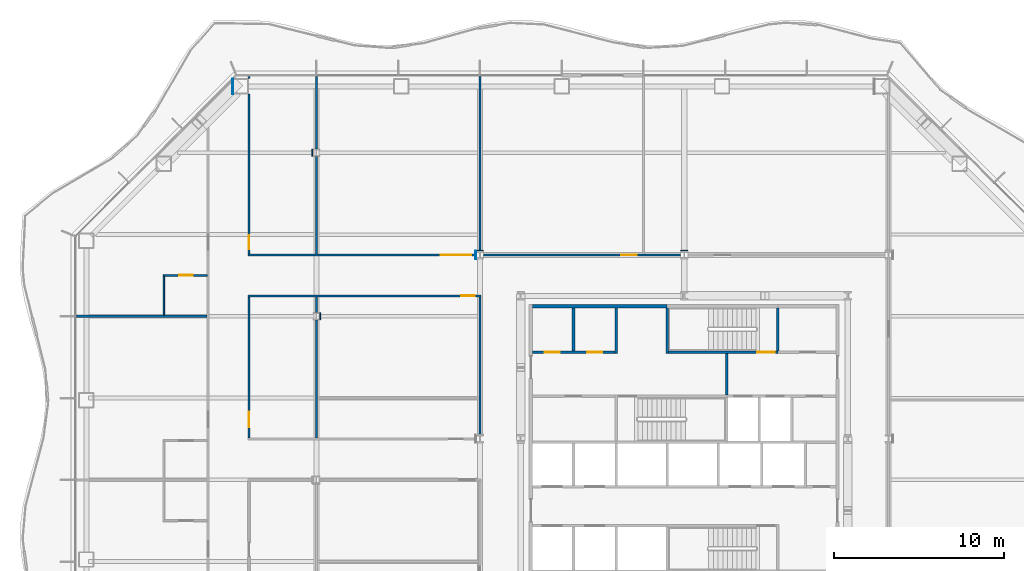
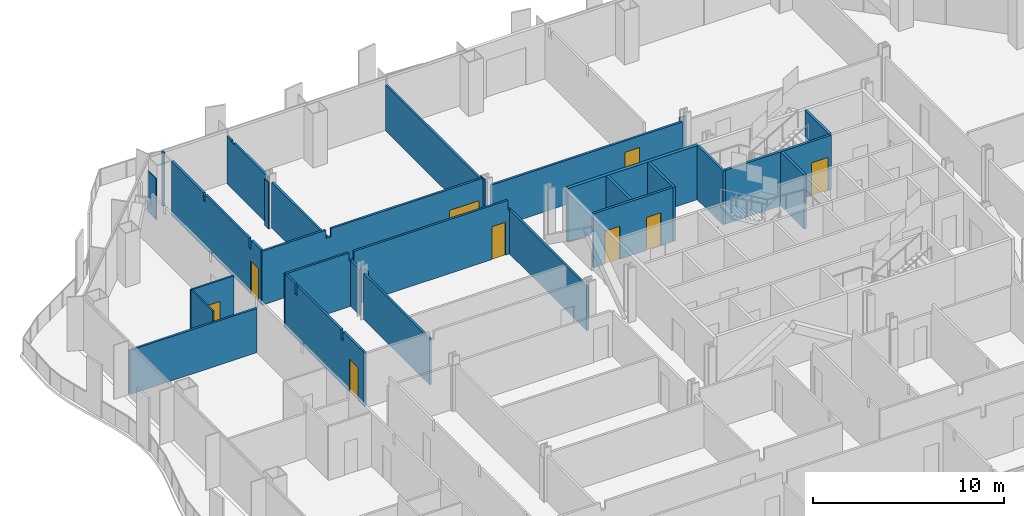
# One storey, part 10 of 18: 29 walls, 9 doors, 9 openings.
"""IFC4 building model written with IfcOpenShell, lengths in metres."""

from ifc_helpers import new_model, si_unit, direction, frame, frame_2d, origin, place, context, subcontext, project, spatial, polyline, rectangle, outline, extrude, material, layer, layer_set, type_object, element, fill, save


model = new_model("IFC4")

# Units and contexts
model_context = context("Model", 3, precision=1e-05, world=origin(), true_north=direction((0.0, 1.0)))
body_context = subcontext(model_context, "Body", "Model", "MODEL_VIEW")
ifc_project = project(units=[si_unit("LENGTHUNIT", "METRE"), si_unit("AREAUNIT", "SQUARE_METRE"), si_unit("VOLUMEUNIT", "CUBIC_METRE"), si_unit("PLANEANGLEUNIT", "RADIAN"), si_unit("MASSUNIT", "GRAM", prefix="KILO")], contexts=[model_context])

# Site, building, storey
site_placement = place(None, origin())
site = spatial("IfcSite", under=ifc_project, at=site_placement, CompositionType="ELEMENT")
building_placement = place(site_placement, origin())
building = spatial("IfcBuilding", under=site, at=building_placement, Name="Cairn Pilgrim Tower", CompositionType="ELEMENT")
storey_placement = place(building_placement, frame((0.0, 0.0, 72.60009765625)))
storey = spatial("IfcBuildingStorey", under=building, at=storey_placement, Name="L16", CompositionType="ELEMENT", Elevation=72.60009765625)

# Wall
ifc_material_1 = material(Name="Concrete C32/40", Category="concrete")
ifc_layer_1 = layer(ifc_material_1, 0.199951171875)
ifc_layer_set_1 = layer_set([ifc_layer_1], Name="CORE OUTER WALL 200 EI 120")
wall_type_1 = type_object("IfcWallType", Name="CORE OUTER WALL 200 EI 120", PredefinedType="SOLIDWALL", material=ifc_layer_set_1)
wall_1_placement = place(storey_placement, frame((-1.699951171875, 10.199951171875, 0.0), z_axis=(0.0, 0.0, 1.0), x_axis=(1.0, 0.0, 0.0)))
element("IfcWall", 1, at=wall_1_placement, inside=storey, type_object=wall_type_1, Name="CW:L16:H11-1", PredefinedType="SOLIDWALL", context=body_context, shape_type="SweptSolid", body=[
    extrude(rectangle(XDim=7.89990234375, YDim=0.199951171875, at=frame_2d((3.949951171875, 0.0))), origin(), (0.0, 0.0, 1.0), 3.449951171875),
])

# Wall, openings, doors
ifc_layer_2 = layer(ifc_material_1, 0.14990234375)
ifc_layer_set_2 = layer_set([ifc_layer_2], Name="CORE PARTITION 150 EI 60")
wall_type_2 = type_object("IfcWallType", Name="CORE PARTITION 150 EI 60", PredefinedType="PARTITIONING", material=ifc_layer_set_2)
wall_2_placement = place(storey_placement, frame((-1.699951171875, 7.5, 0.0), z_axis=(0.0, 0.0, 1.0), x_axis=(1.0, 0.0, 0.0)))
wall_2 = element("IfcWall", 2, at=wall_2_placement, inside=storey, type_object=wall_type_2, Name="CW:L16:H09", PredefinedType="PARTITIONING", context=body_context, shape_type="SweptSolid", body=[
    extrude(rectangle(XDim=4.824951171875, YDim=0.14990234375, at=frame_2d((2.41259765625, 0.0))), origin(), (0.0, 0.0, 1.0), 3.449951171875),
])
opening_1_placement = place(wall_2_placement, frame((0.699951171875, 0.0, 0.0)))
opening_1 = element("IfcOpeningElement", 3, at=opening_1_placement, cuts=wall_2, Name="Opening RD-R4W1", PredefinedType="OPENING", context=body_context, shape_type="SweptSolid", body=[
    extrude(rectangle(XDim=0.89990234375, YDim=2.10009765625, at=frame_2d((0.449951171875, 1.050048828125))), frame((0.0, 0.0849609375, 0.0), z_axis=(0.0, -1.0, 0.0), x_axis=(1.0, 0.0, 0.0)), (0.0, 0.0, 1.0), 0.169921875),
])
opening_2_placement = place(wall_2_placement, frame((3.199951171875, 0.0, 0.0)))
opening_2 = element("IfcOpeningElement", 4, at=opening_2_placement, cuts=wall_2, Name="Opening RD-R4W2", PredefinedType="OPENING", context=body_context, shape_type="SweptSolid", body=[
    extrude(rectangle(XDim=0.89990234375, YDim=2.10009765625, at=frame_2d((0.449951171875, 1.050048828125))), frame((0.0, 0.0849609375, 0.0), z_axis=(0.0, -1.0, 0.0), x_axis=(1.0, 0.0, 0.0)), (0.0, 0.0, 1.0), 0.169921875),
])
ifc_material_2 = material(Name="Painted steel", Category="steel")
door_type_1 = type_object("IfcDoorType", Name="SERVICE ROOM DOOR 900x2100", OperationType="SINGLE_SWING_LEFT", PredefinedType="DOOR", material=ifc_material_2)
door_1_placement = place(opening_1_placement, origin())
door_1 = element("IfcDoor", 5, at=door_1_placement, inside=storey, type_object=door_type_1, Name="RD-R4W1", OperationType="SINGLE_SWING_RIGHT", OverallHeight=2.10009765625, OverallWidth=0.89990234375, PredefinedType="DOOR", context=body_context, shape_type="SweptSolid", body=[
    extrude(rectangle(XDim=0.89990234375, YDim=2.10009765625, at=frame_2d((0.449951171875, 1.050048828125))), frame((0.0, 0.02490234375, 0.0), z_axis=(0.0, -1.0, 0.0), x_axis=(1.0, 0.0, 0.0)), (0.0, 0.0, 1.0), 0.050048828125),
])
fill(opening_1, door_1)
door_2_placement = place(opening_2_placement, origin())
door_2 = element("IfcDoor", 6, at=door_2_placement, inside=storey, type_object=door_type_1, Name="RD-R4W2", OperationType="SINGLE_SWING_LEFT", OverallHeight=2.10009765625, OverallWidth=0.89990234375, PredefinedType="DOOR", context=body_context, shape_type="SweptSolid", body=[
    extrude(rectangle(XDim=0.89990234375, YDim=2.10009765625, at=frame_2d((0.449951171875, 1.050048828125))), frame((0.0, 0.02490234375, 0.0), z_axis=(0.0, -1.0, 0.0), x_axis=(1.0, 0.0, 0.0)), (0.0, 0.0, 1.0), 0.050048828125),
])
fill(opening_2, door_2)

# Walls
wall_3_placement = place(storey_placement, frame((0.699951171875, 7.574951171875, 0.0), z_axis=(0.0, 0.0, 1.0), x_axis=(0.0, 1.0, 0.0)))
element("IfcWall", 7, at=wall_3_placement, inside=storey, type_object=wall_type_2, Name="CW:L16:V15", PredefinedType="PARTITIONING", context=body_context, shape_type="SweptSolid", body=[
    extrude(rectangle(XDim=2.525146484375, YDim=0.14990234375, at=frame_2d((1.2626953125, 0.0))), origin(), (0.0, 0.0, 1.0), 3.449951171875),
])
wall_4_placement = place(storey_placement, frame((3.199951171875, 7.425048828125, 0.0), z_axis=(0.0, 0.0, 1.0), x_axis=(0.0, 1.0, 0.0)))
element("IfcWall", 8, at=wall_4_placement, inside=storey, type_object=wall_type_2, Name="CW:L16:V19", PredefinedType="PARTITIONING", context=body_context, shape_type="SweptSolid", body=[
    extrude(rectangle(XDim=2.675048828125, YDim=0.14990234375, at=frame_2d((1.33740234375, 0.0))), origin(), (0.0, 0.0, 1.0), 3.449951171875),
])
ifc_layer_3 = layer(ifc_material_1, 0.14990234375)
ifc_layer_set_3 = layer_set([ifc_layer_3], Name="CORE SHAFT WALL 150 EI 120")
wall_type_3 = type_object("IfcWallType", Name="CORE SHAFT WALL 150 EI 120", PredefinedType="SOLIDWALL", material=ifc_layer_set_3)
wall_5_placement = place(storey_placement, frame((9.699951171875, 4.97509765625, 0.0), z_axis=(0.0, 0.0, 1.0), x_axis=(0.0, 1.0, 0.0)))
element("IfcWall", 9, at=wall_5_placement, inside=storey, type_object=wall_type_3, Name="CW:L16:V25", PredefinedType="SOLIDWALL", context=body_context, shape_type="SweptSolid", body=[
    extrude(rectangle(XDim=2.449951171875, YDim=0.14990234375, at=frame_2d((1.22509765625, 0.0))), origin(), (0.0, 0.0, 1.0), 3.449951171875),
])
ifc_material_3 = material(Name="Gypsum partition")
ifc_layer_4 = layer(ifc_material_3, 0.10009765625)
ifc_layer_set_4 = layer_set([ifc_layer_4], Name="PARTITION 100 DRYWALL")
wall_type_4 = type_object("IfcWallType", Name="PARTITION 100 DRYWALL", PredefinedType="PARTITIONING", material=ifc_layer_set_4)
wall_6_placement = place(storey_placement, frame((-23.35009765625, 9.66259765625, 0.0), z_axis=(0.0, 0.0, 1.0), x_axis=(0.0, 1.0, 0.0)))
element("IfcWall", 10, at=wall_6_placement, inside=storey, type_object=wall_type_4, Name="PARTITION W050", PredefinedType="PARTITIONING", context=body_context, shape_type="SweptSolid", body=[
    extrude(outline(polyline([(0.0, 0.0), (2.287353515625, 0.0), (2.28759765625, 3.449951171875), (0.047607421875, 3.449951171875), (0.04541015625, 2.829833984375), (0.0, 2.829833984375), (0.0, 0.0)])), frame((0.0, 0.050048828125, 0.0), z_axis=(0.0, -1.0, 0.0), x_axis=(1.0, 0.0, 0.0)), (0.0, 0.0, 1.0), 0.10009765625),
])

# Wall, opening, door
wall_7_placement = place(storey_placement, frame((-23.39990234375, 12.0, 0.0), z_axis=(0.0, 0.0, 1.0), x_axis=(1.0, 0.0, 0.0)))
wall_7 = element("IfcWall", 11, at=wall_7_placement, inside=storey, type_object=wall_type_4, Name="PARTITION W053", PredefinedType="PARTITIONING", context=body_context, shape_type="SweptSolid", body=[
    extrude(rectangle(XDim=2.58740234375, YDim=0.10009765625, at=frame_2d((1.293701171875, 0.0))), origin(), (0.0, 0.0, 1.0), 3.449951171875),
])
opening_3_placement = place(wall_7_placement, frame((0.949951171875, 0.0, 0.0)))
opening_3 = element("IfcOpeningElement", 12, at=opening_3_placement, cuts=wall_7, Name="Opening 1609E", PredefinedType="OPENING", context=body_context, shape_type="SweptSolid", body=[
    extrude(rectangle(XDim=0.800048828125, YDim=2.10009765625, at=frame_2d((0.39990234375, 1.050048828125))), frame((0.0, 0.06005859375, 0.0), z_axis=(0.0, -1.0, 0.0), x_axis=(1.0, 0.0, 0.0)), (0.0, 0.0, 1.0), 0.1201171875),
])
ifc_material_4 = material(Name="Timber door leaf", Category="wood")
door_type_2 = type_object("IfcDoorType", Name="DOOR 800x2100", OperationType="NOTDEFINED", PredefinedType="DOOR", material=ifc_material_4)
door_3_placement = place(opening_3_placement, frame((0.800048828125, 0.0, 0.0), z_axis=(0.0, 0.0, 1.0), x_axis=(-1.0, 0.0, 0.0)))
door_3 = element("IfcDoor", 13, at=door_3_placement, inside=storey, type_object=door_type_2, Name="DOOR 1609E", OperationType="SINGLE_SWING_RIGHT", OverallHeight=2.10009765625, OverallWidth=0.800048828125, PredefinedType="DOOR", context=body_context, shape_type="SweptSolid", body=[
    extrude(rectangle(XDim=0.800048828125, YDim=2.10009765625, at=frame_2d((0.39990234375, 1.050048828125))), frame((0.0, 0.02490234375, 0.0), z_axis=(0.0, -1.0, 0.0), x_axis=(1.0, 0.0, 0.0)), (0.0, 0.0, 1.0), 0.050048828125),
])
fill(opening_3, door_3)

ifc_layer_5 = layer(ifc_material_3, 0.125)
ifc_layer_set_5 = layer_set([ifc_layer_5], Name="PARTITION 125 DRYWALL EI 60")
wall_type_5 = type_object("IfcWallType", Name="PARTITION 125 DRYWALL EI 60", PredefinedType="PARTITIONING", material=ifc_layer_set_5)
wall_8_placement = place(storey_placement, frame((-18.35009765625, 2.46240234375, 0.0), z_axis=(0.0, 0.0, 1.0), x_axis=(0.0, 1.0, 0.0)))
wall_8 = element("IfcWall", 14, at=wall_8_placement, inside=storey, type_object=wall_type_5, Name="PARTITION W043", PredefinedType="PARTITIONING", context=body_context, shape_type="SweptSolid", body=[
    extrude(outline(polyline([(0.0, 0.0), (8.275146484375, 0.0), (8.27490234375, 3.449951171875), (7.24755859375, 3.449951171875), (7.24560546875, 2.829833984375), (7.027587890625, 2.829833984375), (7.025390625, 3.449951171875), (2.447509765625, 3.449951171875), (2.445556640625, 2.829833984375), (2.2275390625, 2.829833984375), (2.2255859375, 3.449951171875), (0.0, 3.449951171875), (0.0, 0.0)])), frame((0.0, 0.0625, 0.0), z_axis=(0.0, -1.0, 0.0), x_axis=(1.0, 0.0, 0.0)), (0.0, 0.0, 1.0), 0.125),
])
opening_4_placement = place(wall_8_placement, frame((0.637451171875, 0.0, 0.0)))
opening_4 = element("IfcOpeningElement", 15, at=opening_4_placement, cuts=wall_8, Name="Opening 1623", PredefinedType="OPENING", context=body_context, shape_type="SweptSolid", body=[
    extrude(rectangle(XDim=0.89990234375, YDim=2.10009765625, at=frame_2d((0.449951171875, 1.050048828125))), frame((0.0, 0.072509765625, 0.0), z_axis=(0.0, -1.0, 0.0), x_axis=(1.0, 0.0, 0.0)), (0.0, 0.0, 1.0), 0.14501953125),
])
ifc_material_5 = material(Name="Steel-faced fire door leaf", Category="steel")
door_type_3 = type_object("IfcDoorType", Name="FIRE DOOR 900x2100 FD30S", OperationType="NOTDEFINED", PredefinedType="DOOR", material=ifc_material_5)
door_4_placement = place(opening_4_placement, frame((0.89990234375, 0.0, 0.0), z_axis=(0.0, 0.0, 1.0), x_axis=(-1.0, 0.0, 0.0)))
door_4 = element("IfcDoor", 16, at=door_4_placement, inside=storey, type_object=door_type_3, Name="DOOR 1623", OperationType="SINGLE_SWING_RIGHT", OverallHeight=2.10009765625, OverallWidth=0.89990234375, PredefinedType="DOOR", context=body_context, shape_type="SweptSolid", body=[
    extrude(rectangle(XDim=0.89990234375, YDim=2.10009765625, at=frame_2d((0.449951171875, 1.050048828125))), frame((0.0, 0.02490234375, 0.0), z_axis=(0.0, -1.0, 0.0), x_axis=(1.0, 0.0, 0.0)), (0.0, 0.0, 1.0), 0.050048828125),
])
fill(opening_4, door_4)

# Walls
wall_9_placement = place(storey_placement, frame((-14.39990234375, 2.46240234375, 0.0), z_axis=(0.0, 0.0, 1.0), x_axis=(0.0, 1.0, 0.0)))
element("IfcWall", 17, at=wall_9_placement, inside=storey, type_object=wall_type_5, Name="PARTITION W044", PredefinedType="PARTITIONING", context=body_context, shape_type="SweptSolid", body=[
    extrude(rectangle(XDim=6.925048828125, YDim=0.125, at=frame_2d((3.46240234375, 0.0))), origin(), (0.0, 0.0, 1.0), 2.929931640625),
])
wall_10_placement = place(storey_placement, frame((-4.800048828125, 2.636962890625, 0.0), z_axis=(0.0, 0.0, 1.0), x_axis=(0.0, 1.0, 0.0)))
element("IfcWall", 18, at=wall_10_placement, inside=storey, type_object=wall_type_5, Name="PARTITION W045", PredefinedType="PARTITIONING", context=body_context, shape_type="SweptSolid", body=[
    extrude(rectangle(XDim=8.1005859375, YDim=0.125, at=frame_2d((4.05029296875, 0.0))), origin(), (0.0, 0.0, 1.0), 2.829833984375),
])
wall_11_placement = place(storey_placement, frame((-28.489990234375, 9.60009765625, 0.0), z_axis=(0.0, 0.0, 1.0), x_axis=(1.0, 0.0, 0.0)))
element("IfcWall", 19, at=wall_11_placement, inside=storey, type_object=wall_type_5, Name="PARTITION W049", PredefinedType="PARTITIONING", context=body_context, shape_type="SweptSolid", body=[
    extrude(rectangle(XDim=7.677490234375, YDim=0.125, at=frame_2d((3.8388671875, 0.0))), origin(), (0.0, 0.0, 1.0), 2.829833984375),
])
wall_12_placement = place(storey_placement, frame((-14.39990234375, 9.8125, 0.0), z_axis=(0.0, 0.0, 1.0), x_axis=(0.0, 1.0, 0.0)))
element("IfcWall", 20, at=wall_12_placement, inside=storey, type_object=wall_type_5, Name="PARTITION W051", PredefinedType="PARTITIONING", context=body_context, shape_type="SweptSolid", body=[
    extrude(rectangle(XDim=0.925048828125, YDim=0.125, at=frame_2d((0.46240234375, 0.0))), origin(), (0.0, 0.0, 1.0), 2.929931640625),
])

# Wall, opening, door
wall_13_placement = place(storey_placement, frame((-18.41259765625, 10.800048828125, 0.0), z_axis=(0.0, 0.0, 1.0), x_axis=(1.0, 0.0, 0.0)))
wall_13 = element("IfcWall", 21, at=wall_13_placement, inside=storey, type_object=wall_type_5, Name="PARTITION W052", PredefinedType="PARTITIONING", context=body_context, shape_type="SweptSolid", body=[
    extrude(outline(polyline([(0.0, 0.0), (13.675048828125, 0.0), (13.675048828125, 2.829833984375), (13.46240234375, 2.829833984375), (13.46044921875, 3.449951171875), (4.16259765625, 3.449951171875), (4.160400390625, 2.929931640625), (3.862548828125, 2.929931640625), (3.860595703125, 3.449951171875), (0.0, 3.449951171875), (0.0, 0.0)])), frame((0.0, 0.0625, 0.0), z_axis=(0.0, -1.0, 0.0), x_axis=(1.0, 0.0, 0.0)), (0.0, 0.0, 1.0), 0.125),
])
opening_5_placement = place(wall_13_placement, frame((12.512451171875, 0.0, 0.0)))
opening_5 = element("IfcOpeningElement", 22, at=opening_5_placement, cuts=wall_13, Name="Opening 1621", PredefinedType="OPENING", context=body_context, shape_type="SweptSolid", body=[
    extrude(rectangle(XDim=0.800048828125, YDim=2.10009765625, at=frame_2d((0.39990234375, 1.050048828125))), frame((0.0, 0.072509765625, 0.0), z_axis=(0.0, -1.0, 0.0), x_axis=(1.0, 0.0, 0.0)), (0.0, 0.0, 1.0), 0.14501953125),
])
door_type_4 = type_object("IfcDoorType", Name="FIRE DOOR 800x2100 FD30S", OperationType="NOTDEFINED", PredefinedType="DOOR", material=ifc_material_5)
door_5_placement = place(opening_5_placement, frame((0.800048828125, 0.0, 0.0), z_axis=(0.0, 0.0, 1.0), x_axis=(-1.0, 0.0, 0.0)))
door_5 = element("IfcDoor", 23, at=door_5_placement, inside=storey, type_object=door_type_4, Name="DOOR 1621", OperationType="SINGLE_SWING_RIGHT", OverallHeight=2.10009765625, OverallWidth=0.800048828125, PredefinedType="DOOR", context=body_context, shape_type="SweptSolid", body=[
    extrude(rectangle(XDim=0.800048828125, YDim=2.10009765625, at=frame_2d((0.39990234375, 1.050048828125))), frame((0.0, 0.02490234375, 0.0), z_axis=(0.0, -1.0, 0.0), x_axis=(1.0, 0.0, 0.0)), (0.0, 0.0, 1.0), 0.050048828125),
])
fill(opening_5, door_5)

wall_14_placement = place(storey_placement, frame((-18.41259765625, 13.199951171875, 0.0), z_axis=(0.0, 0.0, 1.0), x_axis=(1.0, 0.0, 0.0)))
wall_14 = element("IfcWall", 24, at=wall_14_placement, inside=storey, type_object=wall_type_5, Name="PARTITION W054", PredefinedType="PARTITIONING", context=body_context, shape_type="SweptSolid", body=[
    extrude(outline(polyline([(0.0, 0.0), (13.400634765625, 0.0), (13.400390625, 3.449951171875), (4.16259765625, 3.449951171875), (4.160400390625, 2.929931640625), (3.862548828125, 2.929931640625), (3.860595703125, 3.449951171875), (0.0, 3.449951171875), (0.0, 0.0)])), frame((0.0, 0.0625, 0.0), z_axis=(0.0, -1.0, 0.0), x_axis=(1.0, 0.0, 0.0)), (0.0, 0.0, 1.0), 0.125),
])
opening_6_placement = place(wall_14_placement, frame((11.3125, 0.0, 0.0)))
opening_6 = element("IfcOpeningElement", 25, at=opening_6_placement, cuts=wall_14, Name="Opening 1611", PredefinedType="OPENING", context=body_context, shape_type="SweptSolid", body=[
    extrude(rectangle(XDim=1.800048828125, YDim=2.10009765625, at=frame_2d((0.89990234375, 1.050048828125))), frame((0.0, 0.072509765625, 0.0), z_axis=(0.0, -1.0, 0.0), x_axis=(1.0, 0.0, 0.0)), (0.0, 0.0, 1.0), 0.14501953125),
])
door_type_5 = type_object("IfcDoorType", Name="DOOR PAIR 1800x2100 FD30S", OperationType="NOTDEFINED", PredefinedType="DOOR", material=ifc_material_4)
door_6_placement = place(opening_6_placement, origin())
door_6 = element("IfcDoor", 26, at=door_6_placement, inside=storey, type_object=door_type_5, Name="DOOR 1611", OperationType="DOUBLE_DOOR_SINGLE_SWING", OverallHeight=2.10009765625, OverallWidth=1.800048828125, PredefinedType="DOOR", context=body_context, shape_type="SweptSolid", body=[
    extrude(rectangle(XDim=1.800048828125, YDim=2.10009765625, at=frame_2d((0.89990234375, 1.050048828125))), frame((0.0, 0.02490234375, 0.0), z_axis=(0.0, -1.0, 0.0), x_axis=(1.0, 0.0, 0.0)), (0.0, 0.0, 1.0), 0.050048828125),
])
fill(opening_6, door_6)

wall_15_placement = place(storey_placement, frame((-4.587890625, 13.199951171875, 0.0), z_axis=(0.0, 0.0, 1.0), x_axis=(1.0, 0.0, 0.0)))
wall_15 = element("IfcWall", 27, at=wall_15_placement, inside=storey, type_object=wall_type_5, Name="PARTITION W055", PredefinedType="PARTITIONING", context=body_context, shape_type="SweptSolid", body=[
    extrude(rectangle(XDim=11.575927734375, YDim=0.125, at=frame_2d((5.7880859375, 0.0))), origin(), (0.0, 0.0, 1.0), 2.829833984375),
])
opening_7_placement = place(wall_15_placement, frame((8.087890625, 0.0, 0.0)))
opening_7 = element("IfcOpeningElement", 28, at=opening_7_placement, cuts=wall_15, Name="Opening 1612", PredefinedType="OPENING", context=body_context, shape_type="SweptSolid", body=[
    extrude(rectangle(XDim=0.89990234375, YDim=2.10009765625, at=frame_2d((0.449951171875, 1.050048828125))), frame((0.0, 0.072509765625, 0.0), z_axis=(0.0, -1.0, 0.0), x_axis=(1.0, 0.0, 0.0)), (0.0, 0.0, 1.0), 0.14501953125),
])
door_7_placement = place(opening_7_placement, origin())
door_7 = element("IfcDoor", 29, at=door_7_placement, inside=storey, type_object=door_type_3, Name="DOOR 1612", OperationType="SINGLE_SWING_LEFT", OverallHeight=2.10009765625, OverallWidth=0.89990234375, PredefinedType="DOOR", context=body_context, shape_type="SweptSolid", body=[
    extrude(rectangle(XDim=0.89990234375, YDim=2.10009765625, at=frame_2d((0.449951171875, 1.050048828125))), frame((0.0, 0.02490234375, 0.0), z_axis=(0.0, -1.0, 0.0), x_axis=(1.0, 0.0, 0.0)), (0.0, 0.0, 1.0), 0.050048828125),
])
fill(opening_7, door_7)

wall_16_placement = place(storey_placement, frame((-18.35009765625, 13.262451171875, 0.0), z_axis=(0.0, 0.0, 1.0), x_axis=(0.0, 1.0, 0.0)))
wall_16 = element("IfcWall", 30, at=wall_16_placement, inside=storey, type_object=wall_type_5, Name="PARTITION W057", PredefinedType="PARTITIONING", context=body_context, shape_type="SweptSolid", body=[
    extrude(outline(polyline([(0.0, 0.0), (9.387451171875, 0.0), (9.387451171875, 3.449951171875), (6.032470703125, 3.449951171875), (6.030517578125, 2.97998046875), (5.842529296875, 2.97998046875), (5.840576171875, 3.449951171875), (1.24755859375, 3.449951171875), (1.24560546875, 2.829833984375), (1.027587890625, 2.829833984375), (1.025390625, 3.449951171875), (0.0, 3.449951171875), (0.0, 0.0)])), frame((0.0, 0.0625, 0.0), z_axis=(0.0, -1.0, 0.0), x_axis=(1.0, 0.0, 0.0)), (0.0, 0.0, 1.0), 0.125),
])
opening_8_placement = place(wall_16_placement, frame((0.28759765625, 0.0, 0.0)))
opening_8 = element("IfcOpeningElement", 31, at=opening_8_placement, cuts=wall_16, Name="Opening 1610", PredefinedType="OPENING", context=body_context, shape_type="SweptSolid", body=[
    extrude(rectangle(XDim=0.800048828125, YDim=2.10009765625, at=frame_2d((0.39990234375, 1.050048828125))), frame((0.0, 0.072509765625, 0.0), z_axis=(0.0, -1.0, 0.0), x_axis=(1.0, 0.0, 0.0)), (0.0, 0.0, 1.0), 0.14501953125),
])
door_8_placement = place(opening_8_placement, frame((0.800048828125, 0.0, 0.0), z_axis=(0.0, 0.0, 1.0), x_axis=(-1.0, 0.0, 0.0)))
door_8 = element("IfcDoor", 32, at=door_8_placement, inside=storey, type_object=door_type_4, Name="DOOR 1610", OperationType="SINGLE_SWING_LEFT", OverallHeight=2.10009765625, OverallWidth=0.800048828125, PredefinedType="DOOR", context=body_context, shape_type="SweptSolid", body=[
    extrude(rectangle(XDim=0.800048828125, YDim=2.10009765625, at=frame_2d((0.39990234375, 1.050048828125))), frame((0.0, 0.02490234375, 0.0), z_axis=(0.0, -1.0, 0.0), x_axis=(1.0, 0.0, 0.0)), (0.0, 0.0, 1.0), 0.050048828125),
])
fill(opening_8, door_8)

# Walls
wall_17_placement = place(storey_placement, frame((-14.39990234375, 13.262451171875, 0.0), z_axis=(0.0, 0.0, 1.0), x_axis=(0.0, 1.0, 0.0)))
element("IfcWall", 33, at=wall_17_placement, inside=storey, type_object=wall_type_5, Name="PARTITION W058", PredefinedType="PARTITIONING", context=body_context, shape_type="SweptSolid", body=[
    extrude(rectangle(XDim=5.72509765625, YDim=0.125, at=frame_2d((2.862548828125, 0.0))), origin(), (0.0, 0.0, 1.0), 2.929931640625),
])
wall_18_placement = place(storey_placement, frame((-4.800048828125, 13.43701171875, 0.0), z_axis=(0.0, 0.0, 1.0), x_axis=(0.0, 1.0, 0.0)))
element("IfcWall", 34, at=wall_18_placement, inside=storey, type_object=wall_type_5, Name="PARTITION W060", PredefinedType="PARTITIONING", context=body_context, shape_type="SweptSolid", body=[
    extrude(rectangle(XDim=10.2529296875, YDim=0.125, at=frame_2d((5.12646484375, 0.0))), origin(), (0.0, 0.0, 1.0), 2.929931640625),
])
wall_19_placement = place(storey_placement, frame((-14.39990234375, 19.41259765625, 0.0), z_axis=(0.0, 0.0, 1.0), x_axis=(0.0, 1.0, 0.0)))
element("IfcWall", 35, at=wall_19_placement, inside=storey, type_object=wall_type_5, Name="PARTITION W062", PredefinedType="PARTITIONING", context=body_context, shape_type="SweptSolid", body=[
    extrude(outline(polyline([(0.0, 0.0), (4.27734375, 0.0), (4.277587890625, 3.02978515625), (3.83740234375, 3.02978515625), (3.83544921875, 2.929931640625), (3.53759765625, 2.929931640625), (3.535400390625, 3.02978515625), (0.0, 3.02978515625), (0.0, 0.0)])), frame((0.0, 0.0625, 0.0), z_axis=(0.0, -1.0, 0.0), x_axis=(1.0, 0.0, 0.0)), (0.0, 0.0, 1.0), 0.125),
])
wall_20_placement = place(storey_placement, frame((-18.35009765625, 23.550048828125, 0.0), z_axis=(0.0, 0.0, 1.0), x_axis=(0.0, 1.0, 0.0)))
element("IfcWall", 36, at=wall_20_placement, inside=storey, type_object=wall_type_5, Name="PARTITION W063", PredefinedType="PARTITIONING", context=body_context, shape_type="SweptSolid", body=[
    extrude(rectangle(XDim=0.139892578125, YDim=0.125, at=frame_2d((0.06982421875, 0.0))), origin(), (0.0, 0.0, 1.0), 3.449951171875),
])
ifc_layer_6 = layer(ifc_material_3, 0.050048828125)
ifc_layer_set_6 = layer_set([ifc_layer_6], Name="PARTITION 50 DRYWALL EI 60")
wall_type_6 = type_object("IfcWallType", Name="PARTITION 50 DRYWALL EI 60", PredefinedType="PARTITIONING", material=ifc_layer_set_6)
wall_21_placement = place(storey_placement, frame((-14.17041015625, 9.387451171875, 0.0), z_axis=(0.0, 0.0, 1.0), x_axis=(0.0, 1.0, 0.0)))
element("IfcWall", 37, at=wall_21_placement, inside=storey, type_object=wall_type_6, Name="COLUMN CASING WC16", PredefinedType="PARTITIONING", context=body_context, shape_type="SweptSolid", body=[
    extrude(rectangle(XDim=0.425048828125, YDim=0.050048828125, at=frame_2d((0.21240234375, 0.0))), origin(), (0.0, 0.0, 1.0), 2.929931640625),
])
for number, where, z_axis, x_axis, name in (
    (38, (-5.011962890625, 13.4619140625, 0.0), (0.0, 0.0, 1.0), (1.0, 0.0, 0.0), "COLUMN CASING WC20"),
    (39, (6.988037109375, 13.4619140625, 0.0), (0.0, 0.0, 1.0), (1.0, 0.0, 0.0), "COLUMN CASING WC21"),
):
    element("IfcWall", number, at=place(storey_placement, frame(where, z_axis=z_axis, x_axis=x_axis)), inside=storey, type_object=wall_type_6, Name=name, PredefinedType="PARTITIONING", context=body_context, shape_type="SweptSolid", body=[
        extrude(rectangle(XDim=0.424072265625, YDim=0.050048828125, at=frame_2d((0.2119140625, 0.0))), origin(), (0.0, 0.0, 1.0), 2.929931640625),
    ])
wall_22_placement = place(storey_placement, frame((-19.30224609375, 22.64990234375, 0.0), z_axis=(0.0, 0.0, 1.0), x_axis=(0.0, 1.0, 0.0)))
element("IfcWall", 40, at=wall_22_placement, inside=storey, type_object=wall_type_6, Name="COLUMN CASING WC24", PredefinedType="PARTITIONING", context=body_context, shape_type="SweptSolid", body=[
    extrude(rectangle(XDim=0.900146484375, YDim=0.050048828125, at=frame_2d((0.4501953125, 0.0))), origin(), (0.0, 0.0, 1.0), 2.6298828125),
])
wall_23_placement = place(storey_placement, frame((-14.62939453125, 18.987548828125, 0.0), z_axis=(0.0, 0.0, 1.0), x_axis=(0.0, 1.0, 0.0)))
element("IfcWall", 41, at=wall_23_placement, inside=storey, type_object=wall_type_6, Name="COLUMN CASING WC25", PredefinedType="PARTITIONING", context=body_context, shape_type="SweptSolid", body=[
    extrude(rectangle(XDim=0.425048828125, YDim=0.050048828125, at=frame_2d((0.21240234375, 0.0))), origin(), (0.0, 0.0, 1.0), 2.97998046875),
])
wall_24_placement = place(storey_placement, frame((-5.037109375, 12.962890625, 0.0), z_axis=(0.0, 0.0, 1.0), x_axis=(0.0, 1.0, 0.0)))
element("IfcWall", 42, at=wall_24_placement, inside=storey, type_object=wall_type_6, Name="COLUMN CASING WC26", PredefinedType="PARTITIONING", context=body_context, shape_type="SweptSolid", body=[
    extrude(rectangle(XDim=0.47412109375, YDim=0.050048828125, at=frame_2d((0.237060546875, 0.0))), origin(), (0.0, 0.0, 1.0), 3.449951171875),
])

# Wall, opening, door
ifc_material_6 = material(Name="Concrete C35/45", Category="concrete")
ifc_layer_7 = layer(ifc_material_6, 0.14990234375)
ifc_layer_set_7 = layer_set([ifc_layer_7], Name="STAIR SHAFT WALL 150 EI 120")
wall_type_7 = type_object("IfcWallType", Name="STAIR SHAFT WALL 150 EI 120", PredefinedType="SOLIDWALL", material=ifc_layer_set_7)
wall_25_placement = place(storey_placement, frame((6.27490234375, 7.5, 0.0), z_axis=(0.0, 0.0, 1.0), x_axis=(1.0, 0.0, 0.0)))
wall_25 = element("IfcWall", 43, at=wall_25_placement, inside=storey, type_object=wall_type_7, Name="CW:L16:H10-1", PredefinedType="SOLIDWALL", context=body_context, shape_type="SweptSolid", body=[
    extrude(rectangle(XDim=6.425048828125, YDim=0.14990234375, at=frame_2d((3.21240234375, 0.0))), origin(), (0.0, 0.0, 1.0), 3.449951171875),
])
opening_9_placement = place(wall_25_placement, frame((5.22509765625, 0.0, 0.0)))
opening_9 = element("IfcOpeningElement", 44, at=opening_9_placement, cuts=wall_25, Name="Opening SD-C", PredefinedType="OPENING", context=body_context, shape_type="SweptSolid", body=[
    extrude(rectangle(XDim=1.0, YDim=2.10009765625, at=frame_2d((0.5, 1.050048828125))), frame((0.0, 0.0849609375, 0.0), z_axis=(0.0, -1.0, 0.0), x_axis=(1.0, 0.0, 0.0)), (0.0, 0.0, 1.0), 0.169921875),
])
door_type_6 = type_object("IfcDoorType", Name="STAIR DOOR FD60S 1000x2100", OperationType="SINGLE_SWING_LEFT", PredefinedType="DOOR", material=ifc_material_2)
door_9_placement = place(opening_9_placement, origin())
door_9 = element("IfcDoor", 45, at=door_9_placement, inside=storey, type_object=door_type_6, Name="SD-C", OperationType="SINGLE_SWING_LEFT", OverallHeight=2.10009765625, OverallWidth=1.0, PredefinedType="DOOR", context=body_context, shape_type="SweptSolid", body=[
    extrude(rectangle(XDim=1.0, YDim=2.10009765625, at=frame_2d((0.5, 1.050048828125))), frame((0.0, 0.02490234375, 0.0), z_axis=(0.0, -1.0, 0.0), x_axis=(1.0, 0.0, 0.0)), (0.0, 0.0, 1.0), 0.050048828125),
])
fill(opening_9, door_9)

# Walls
wall_26_placement = place(storey_placement, frame((6.199951171875, 7.425048828125, 0.0), z_axis=(0.0, 0.0, 1.0), x_axis=(0.0, 1.0, 0.0)))
element("IfcWall", 46, at=wall_26_placement, inside=storey, type_object=wall_type_7, Name="CW:L16:V22", PredefinedType="SOLIDWALL", context=body_context, shape_type="SweptSolid", body=[
    extrude(rectangle(XDim=2.675048828125, YDim=0.14990234375, at=frame_2d((1.33740234375, 0.0))), origin(), (0.0, 0.0, 1.0), 3.449951171875),
])
wall_27_placement = place(storey_placement, frame((12.699951171875, 7.574951171875, 0.0), z_axis=(0.0, 0.0, 1.0), x_axis=(0.0, 1.0, 0.0)))
element("IfcWall", 47, at=wall_27_placement, inside=storey, type_object=wall_type_7, Name="CW:L16:V29", PredefinedType="SOLIDWALL", context=body_context, shape_type="SweptSolid", body=[
    extrude(rectangle(XDim=2.525146484375, YDim=0.14990234375, at=frame_2d((1.2626953125, 0.0))), origin(), (0.0, 0.0, 1.0), 3.449951171875),
])

save(model, "model.ifc")
